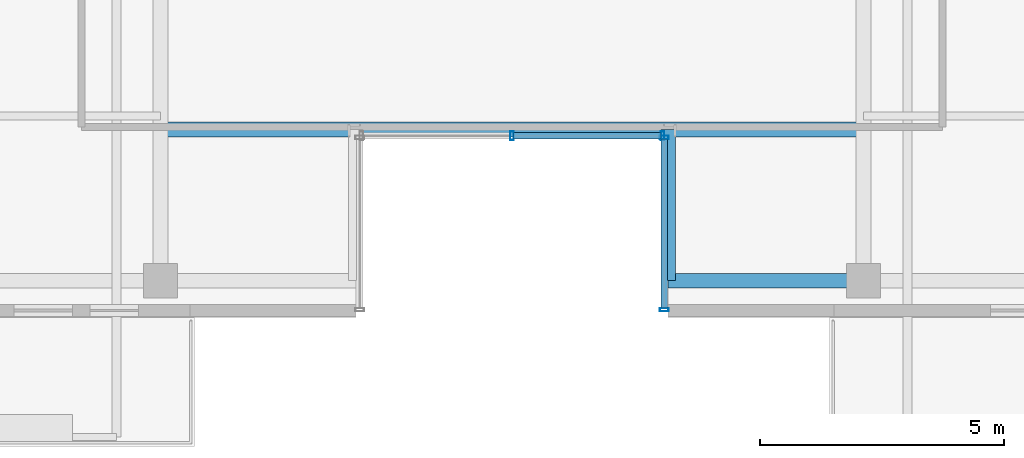
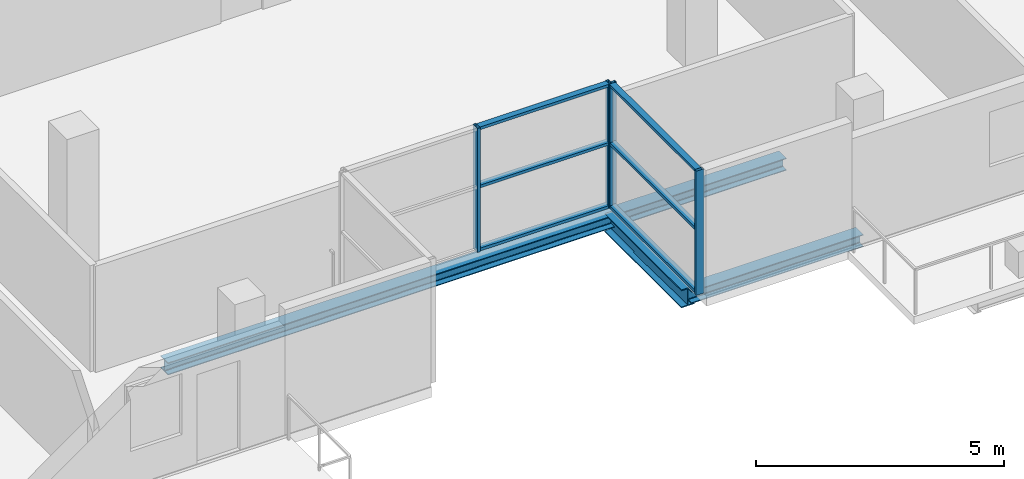
# One storey, part 7 of 24: 10 members, 3 beams, 2 elements without a shape of their own.
"""IFC4 building model written with IfcOpenShell, lengths in metres."""

import ifcopenshell
import ifcopenshell.guid

model = None  # the IFC model being written
_history = None  # IfcOwnerHistory: only IFC2X3 demands one
_inside = {}  # id of a spatial element -> (the spatial element, [elements in it])
_under = {}  # id of a project, library or spatial element -> (it, [spatial elements below it])
_declared = {}  # id of a project -> (the project, [libraries it declares])
_typed = {}  # id of a type object -> (the type object, [elements of that type])
_made_of = {}  # id of a material, layer set ... -> (it, [elements and type objects made of it])


def new_model(schema):
    """Start an empty IFC model of exactly this schema.

    Asked for "IFC4X3", IfcOpenShell would pick the latest addendum, in which some entities
    have other attributes; the version numbers below select the first issue.
    IFC2X3 requires an IfcOwnerHistory on every rooted entity: one is made here for all.
    """
    global model, _history
    if schema == "IFC4X3":
        model = ifcopenshell.file(schema_version=(4, 3, 0, 0))
    else:
        model = ifcopenshell.file(schema=schema)
    _inside.clear()
    _under.clear()
    _declared.clear()
    _typed.clear()
    _made_of.clear()
    _history = None
    if model.schema == "IFC2X3":
        org = make("IfcOrganization", Name="unknown")
        user = make(
            "IfcPersonAndOrganization",
            ThePerson=make("IfcPerson", FamilyName="unknown"),
            TheOrganization=org,
        )
        app = make(
            "IfcApplication",
            ApplicationDeveloper=org,
            Version="unknown",
            ApplicationFullName="unknown",
            ApplicationIdentifier="unknown",
        )
        _history = make(
            "IfcOwnerHistory",
            OwningUser=user,
            OwningApplication=app,
            ChangeAction="ADDED",
            CreationDate=0,
        )
    return model


def make(cls, **values):
    """One entity of the class cls with the attributes given. An attribute that is None is left unset."""
    return model.create_entity(
        cls, **{name: value for name, value in values.items() if value is not None}
    )


def rooted(cls, **values):
    """An entity with a GlobalId (a new one), such as an element, a storey or a relation."""
    return make(cls, GlobalId=ifcopenshell.guid.new(), OwnerHistory=_history, **values)


def si_unit(unit_type, name, prefix=None):
    """IfcSIUnit, for example si_unit("LENGTHUNIT", "METRE", prefix="MILLI")."""
    return make("IfcSIUnit", UnitType=unit_type, Prefix=prefix, Name=name)


def assignment(units):
    """IfcUnitAssignment: the units of a project."""
    return None if units is None else make("IfcUnitAssignment", Units=units)


def point(xyz):
    """IfcCartesianPoint."""
    return None if xyz is None else make("IfcCartesianPoint", Coordinates=xyz)


def direction(xyz):
    """IfcDirection."""
    return None if xyz is None else make("IfcDirection", DirectionRatios=xyz)


def frame(location, z_axis=None, x_axis=None):
    """IfcAxis2Placement3D, a coordinate frame: its origin and axes. An axis left out is left unset."""
    return make(
        "IfcAxis2Placement3D",
        Location=point(location),
        Axis=direction(z_axis),
        RefDirection=direction(x_axis),
    )


def frame_2d(location, x_axis=None):
    """IfcAxis2Placement2D, a coordinate frame in the plane: its origin and x axis."""
    return make(
        "IfcAxis2Placement2D", Location=point(location), RefDirection=direction(x_axis)
    )


def origin():
    """The frame at (0, 0, 0) with its axes left unset."""
    return frame((0.0, 0.0, 0.0))


def origin_2d():
    """The frame at (0, 0) in the plane with its x axis left unset."""
    return frame_2d((0.0, 0.0))


def place(relative_to, where):
    """IfcLocalPlacement: puts the frame where relative to a parent placement (None: the world)."""
    return make(
        "IfcLocalPlacement", PlacementRelTo=relative_to, RelativePlacement=where
    )


def context(
    kind, dimensions, precision=None, world=None, true_north=None, identifier=None
):
    """IfcGeometricRepresentationContext, for example the 3D "Model" context."""
    return make(
        "IfcGeometricRepresentationContext",
        ContextIdentifier=identifier,
        ContextType=kind,
        CoordinateSpaceDimension=dimensions,
        Precision=precision,
        WorldCoordinateSystem=world,
        TrueNorth=true_north,
    )


def subcontext(parent, identifier, kind, view, scale=None):
    """IfcGeometricRepresentationSubContext, for example "Body" below "Model"."""
    return make(
        "IfcGeometricRepresentationSubContext",
        ContextIdentifier=identifier,
        ContextType=kind,
        ParentContext=parent,
        TargetScale=scale,
        TargetView=view,
    )


def project(units=None, contexts=None):
    """IfcProject with its units and contexts."""
    return rooted(
        "IfcProject",
        Name="project",
        RepresentationContexts=contexts,
        UnitsInContext=assignment(units),
    )


def spatial(cls, under=None, at=None, **own):
    """A site, building, storey or space (cls), placed at a placement, below another one or the project."""
    s = rooted(cls, ObjectPlacement=at, **own)
    if under is not None:
        _under.setdefault(under.id(), (under, []))[1].append(s)
    return s


def profile(cls, at=None, kind="AREA", **sizes):
    """A parametric profile (cls). Its sizes go by their IFC names, for example OverallWidth=200.0."""
    return make(cls, ProfileType=kind, Position=at, **sizes)


def hollow_rectangle(**sizes):
    """IfcRectangleHollowProfileDef."""
    return profile("IfcRectangleHollowProfileDef", **sizes)


def i_section(**sizes):
    """IfcIShapeProfileDef."""
    return profile("IfcIShapeProfileDef", **sizes)


def extrude(swept, where, along, depth):
    """IfcExtrudedAreaSolid: the profile swept, set in the frame where, extruded along a direction by depth."""
    return make(
        "IfcExtrudedAreaSolid",
        SweptArea=swept,
        Position=where,
        ExtrudedDirection=direction(along),
        Depth=depth,
    )


def shape(context_of_items, identifier, shape_type, items):
    """IfcShapeRepresentation: the items that make up one representation, for example the "Body"."""
    return make(
        "IfcShapeRepresentation",
        ContextOfItems=context_of_items,
        RepresentationIdentifier=identifier,
        RepresentationType=shape_type,
        Items=items,
    )


def source(mapping_origin, context_of_items, identifier, shape_type, items):
    """IfcRepresentationMap: a shape defined once, which mapped items show again and again."""
    return make(
        "IfcRepresentationMap",
        MappingOrigin=mapping_origin,
        MappedRepresentation=shape(context_of_items, identifier, shape_type, items),
    )


def transform(
    local_origin,
    x_axis=None,
    y_axis=None,
    z_axis=None,
    scale=None,
    scale2=None,
    scale3=None,
    uniform=True,
):
    """IfcCartesianTransformationOperator3D, or its non-uniform kind. x_axis, y_axis, z_axis: its Axis1, 2, 3."""
    if uniform:
        return make(
            "IfcCartesianTransformationOperator3D",
            Axis1=direction(x_axis),
            Axis2=direction(y_axis),
            LocalOrigin=point(local_origin),
            Scale=scale,
            Axis3=direction(z_axis),
        )
    return make(
        "IfcCartesianTransformationOperator3DnonUniform",
        Axis1=direction(x_axis),
        Axis2=direction(y_axis),
        LocalOrigin=point(local_origin),
        Scale=scale,
        Axis3=direction(z_axis),
        Scale2=scale2,
        Scale3=scale3,
    )


def mapped(mapping_source, mapping_target):
    """IfcMappedItem: shows the shape of a source again, moved by a transform."""
    return make(
        "IfcMappedItem", MappingSource=mapping_source, MappingTarget=mapping_target
    )


def material(Name=None, Category=None):
    """IfcMaterial."""
    return make("IfcMaterial", Name=Name, Category=Category)


def layer(
    of_material, thickness, ventilated=None, Name=None, Category=None, Priority=None
):
    """IfcMaterialLayer: one layer of a wall or slab, of a material (None: an air gap)."""
    return make(
        "IfcMaterialLayer",
        Material=of_material,
        LayerThickness=thickness,
        IsVentilated=ventilated,
        Name=Name,
        Category=Category,
        Priority=Priority,
    )


def layer_set(layers, Name=None):
    """IfcMaterialLayerSet."""
    return make("IfcMaterialLayerSet", MaterialLayers=layers, LayerSetName=Name)


def material_profile(
    of_material, cross_section, Name=None, Category=None, Priority=None
):
    """IfcMaterialProfile: a cross section and its material."""
    return make(
        "IfcMaterialProfile",
        Name=Name,
        Material=of_material,
        Profile=cross_section,
        Priority=Priority,
        Category=Category,
    )


def profile_set(profiles, Name=None, composite=None):
    """IfcMaterialProfileSet."""
    return make(
        "IfcMaterialProfileSet",
        Name=Name,
        MaterialProfiles=profiles,
        CompositeProfile=composite,
    )


def made_of(thing, what):
    """Note that an element or type object is made of a material, layer set ...; save() writes the relation."""
    if what is not None:
        _made_of.setdefault(what.id(), (what, []))[1].append(thing)
    return thing


def type_object(cls, material=None, **own):
    """A type object (cls), such as IfcWallType, which elements share."""
    return made_of(rooted(cls, **own), material)


def element(
    cls,
    number,
    at=None,
    inside=None,
    cuts=None,
    type_object=None,
    material=None,
    context=None,
    identifier="Body",
    shape_type=None,
    held_by="IfcProductDefinitionShape",
    body=None,
    shapes=None,
    **own,
):
    """One element of the class cls, such as IfcWall. Its Tag is "e" and its number.

    at: its placement. inside: the storey or other place that contains it. cuts: it is an
    opening in that element (IfcRelVoidsElement). A single representation is given by context,
    identifier, shape_type and body (its items); several are given by shapes. held_by: the class
    of the entity that holds the representations. save() writes the other relations.
    """
    e = rooted(cls, Tag="e%d" % number, ObjectPlacement=at, **own)
    if body is not None:
        shapes = [shape(context, identifier, shape_type, body)]
    if shapes is not None:
        e.Representation = make(held_by, Representations=shapes)
    if inside is not None:
        _inside.setdefault(inside.id(), (inside, []))[1].append(e)
    if cuts is not None:
        rooted(
            "IfcRelVoidsElement", RelatingBuildingElement=cuts, RelatedOpeningElement=e
        )
    if type_object is not None:
        _typed.setdefault(type_object.id(), (type_object, []))[1].append(e)
    return made_of(e, material)


def aggregate(whole, parts):
    """IfcRelAggregates: a whole, such as a stair, and the parts it consists of."""
    return rooted("IfcRelAggregates", RelatingObject=whole, RelatedObjects=parts)


def save(model, path):
    """Write the relations noted so far, then the file.

    IfcRelAggregates (storeys below a building ...), IfcRelContainedInSpatialStructure (elements
    in a storey), IfcRelDefinesByType, IfcRelAssociatesMaterial and IfcRelDeclares: one each for
    every whole, place, type object, material and project.
    """
    for whole, parts in _under.values():
        aggregate(whole, parts)
    for where, things in _inside.values():
        rooted(
            "IfcRelContainedInSpatialStructure",
            RelatedElements=things,
            RelatingStructure=where,
        )
    for kind, things in _typed.values():
        rooted("IfcRelDefinesByType", RelatedObjects=things, RelatingType=kind)
    for what, things in _made_of.values():
        rooted("IfcRelAssociatesMaterial", RelatedObjects=things, RelatingMaterial=what)
    for by, libraries in _declared.values():
        rooted("IfcRelDeclares", RelatingContext=by, RelatedDefinitions=libraries)
    model.write(path)


model = new_model("IFC4")

# Units and contexts
model_context = context("Model", 3, precision=1e-05, world=origin(), true_north=direction((0.0, 1.0)))
body_context = subcontext(model_context, "Body", "Model", "MODEL_VIEW")
ifc_project = project(units=[si_unit("LENGTHUNIT", "METRE"), si_unit("AREAUNIT", "SQUARE_METRE"), si_unit("VOLUMEUNIT", "CUBIC_METRE"), si_unit("PLANEANGLEUNIT", "RADIAN"), si_unit("MASSUNIT", "GRAM", prefix="KILO")], contexts=[model_context])

# Site, building, storey
site_placement = place(None, origin())
site = spatial("IfcSite", under=ifc_project, at=site_placement, CompositionType="ELEMENT")
building_placement = place(site_placement, origin())
building = spatial("IfcBuilding", under=site, at=building_placement, Name="Zarnakvel Exchange Tower", CompositionType="ELEMENT")
storey_placement = place(building_placement, frame((0.0, 0.0, 205.60009765625)))
storey = spatial("IfcBuildingStorey", under=building, at=storey_placement, Name="L57", CompositionType="ELEMENT", Elevation=205.60009765625)

# Beams
ifc_material_1 = material(Name="Steel S355", Category="steel")
ifc_material_profile_1 = material_profile(ifc_material_1, i_section(OverallWidth=0.300048828125, OverallDepth=0.449951171875, WebThickness=0.013916015625, FlangeThickness=0.02587890625, FilletRadius=0.027099609375, at=origin_2d()))
ifc_profile_set_1 = profile_set([ifc_material_profile_1], Name="Steel S355")
beam_type_1 = type_object("IfcBeamType", Name="G-07", PredefinedType="BEAM", material=ifc_profile_set_1)
beam_1_placement = place(storey_placement, frame((3.199951171875, -16.35009765625, -0.47509765625), z_axis=(0.0, 1.0, 0.0), x_axis=(-1.0, 0.0, 0.0)))
element("IfcBeam", 1, at=beam_1_placement, inside=storey, type_object=beam_type_1, Name="L57 South Slot East Cheek Beam", PredefinedType="BEAM", context=body_context, shape_type="SweptSolid", body=[
    extrude(i_section(OverallWidth=0.300048828125, OverallDepth=0.449951171875, WebThickness=0.013916015625, FlangeThickness=0.02587890625, FilletRadius=0.027099609375, at=origin_2d()), origin(), (0.0, 0.0, 1.0), 3.10009765625),
])
ifc_material_profile_2 = material_profile(ifc_material_1, i_section(OverallWidth=0.300048828125, OverallDepth=0.300048828125, WebThickness=0.010986328125, FlangeThickness=0.01904296875, FilletRadius=0.027099609375, at=origin_2d()))
ifc_profile_set_2 = profile_set([ifc_material_profile_2], Name="Steel S355")
beam_type_2 = type_object("IfcBeamType", Name="SP-03", PredefinedType="SPANDREL", material=ifc_profile_set_2)
beam_2_placement = place(storey_placement, frame((3.199951171875, -16.35009765625, -0.400146484375), z_axis=(1.0, 0.0, 0.0), x_axis=(0.0, 1.0, 0.0)))
element("IfcBeam", 2, at=beam_2_placement, inside=storey, type_object=beam_type_2, Name="L57 South Slot East Jamb Spandrel", PredefinedType="SPANDREL", context=body_context, shape_type="SweptSolid", body=[
    extrude(i_section(OverallWidth=0.300048828125, OverallDepth=0.300048828125, WebThickness=0.010986328125, FlangeThickness=0.01904296875, FilletRadius=0.027099609375, at=origin_2d()), origin(), (0.0, 0.0, 1.0), 4.0),
])
beam_3_placement = place(storey_placement, frame((-7.199951171875, -13.25, -0.400146484375), z_axis=(1.0, 0.0, 0.0), x_axis=(0.0, 1.0, 0.0)))
element("IfcBeam", 3, at=beam_3_placement, inside=storey, type_object=beam_type_2, Name="L57 South Slot Head Trimmer Girder", PredefinedType="SPANDREL", context=body_context, shape_type="SweptSolid", body=[
    extrude(i_section(OverallWidth=0.300048828125, OverallDepth=0.300048828125, WebThickness=0.010986328125, FlangeThickness=0.01904296875, FilletRadius=0.027099609375, at=origin_2d()), origin(), (0.0, 0.0, 1.0), 14.39990234375),
])

# Curtain wall, members
ifc_material_2 = material(Name="Architectural Bronze Anodised Aluminium", Category="aluminium")
ifc_layer = layer(ifc_material_2, 0.179931640625)
ifc_layer_set = layer_set([ifc_layer], Name="Architectural Bronze Anodised Aluminium")
curtain_wall_type = type_object("IfcCurtainWallType", Name="CW-05", PredefinedType="NOTDEFINED", material=ifc_layer_set)
curtain_wall_1_placement = place(storey_placement, origin())
curtain_wall_1 = element("IfcCurtainWall", 4, at=curtain_wall_1_placement, inside=storey, type_object=curtain_wall_type, Name="L57 Curtain Wall CW-L57-SLE (CW-05)", PredefinedType="NOTDEFINED")
ifc_material_profile_3 = material_profile(ifc_material_2, hollow_rectangle(XDim=0.139892578125, YDim=0.070068359375, WallThickness=0.00390625, at=origin_2d()))
ifc_profile_set_3 = profile_set([ifc_material_profile_3], Name="Architectural Bronze Anodised Aluminium")
member_type_1 = type_object("IfcMemberType", Name="CWT-05", PredefinedType="USERDEFINED", material=ifc_profile_set_3)
shared_shape_1 = source(origin(), body_context, "Body", "SweptSolid", [
    extrude(hollow_rectangle(XDim=0.139892578125, YDim=0.070068359375, WallThickness=0.00390625, at=origin_2d()), origin(), (0.0, 0.0, 1.0), 3.4599609375),
])
member_1_placement = place(storey_placement, frame((3.1201171875, -13.449951171875, 0.034912109375), z_axis=(0.0, -1.0, 0.0), x_axis=(1.0, 0.0, 0.0)))
member_1 = element("IfcMember", 5, at=member_1_placement, type_object=member_type_1, Name="CW-05 transom 1.1", ObjectType="TRANSOM", PredefinedType="USERDEFINED", context=body_context, shape_type="MappedRepresentation", body=[
    mapped(shared_shape_1, transform((0.0, 0.0, 0.0), x_axis=(1.0, 0.0, 0.0), y_axis=(0.0, 1.0, 0.0), z_axis=(0.0, 0.0, 1.0), scale=1.0)),
])
member_2_placement = place(storey_placement, frame((3.1201171875, -13.449951171875, 1.588623046875), z_axis=(0.0, -1.0, 0.0), x_axis=(1.0, 0.0, 0.0)))
member_2 = element("IfcMember", 6, at=member_2_placement, type_object=member_type_1, Name="CW-05 transom 1.2", ObjectType="TRANSOM", PredefinedType="USERDEFINED", context=body_context, shape_type="MappedRepresentation", body=[
    mapped(shared_shape_1, transform((0.0, 0.0, 0.0), x_axis=(1.0, 0.0, 0.0), y_axis=(0.0, 1.0, 0.0), z_axis=(0.0, 0.0, 1.0), scale=1.0)),
])
member_3_placement = place(storey_placement, frame((3.1201171875, -13.449951171875, 3.02001953125), z_axis=(0.0, -1.0, 0.0), x_axis=(1.0, 0.0, 0.0)))
member_3 = element("IfcMember", 7, at=member_3_placement, type_object=member_type_1, Name="CW-05 transom 1.3", ObjectType="TRANSOM", PredefinedType="USERDEFINED", context=body_context, shape_type="MappedRepresentation", body=[
    mapped(shared_shape_1, transform((0.0, 0.0, 0.0), x_axis=(1.0, 0.0, 0.0), y_axis=(0.0, 1.0, 0.0), z_axis=(0.0, 0.0, 1.0), scale=1.0)),
])

curtain_wall_2_placement = place(storey_placement, origin())
curtain_wall_2 = element("IfcCurtainWall", 8, at=curtain_wall_2_placement, inside=storey, type_object=curtain_wall_type, Name="L57 Curtain Wall CW-L57-SLB (CW-05)", PredefinedType="NOTDEFINED")
shared_shape_2 = source(origin(), body_context, "Body", "SweptSolid", [
    extrude(hollow_rectangle(XDim=0.139892578125, YDim=0.070068359375, WallThickness=0.00390625, at=origin_2d()), origin(), (0.0, 0.0, 1.0), 3.01513671875),
])
member_4_placement = place(storey_placement, frame((0.034912109375, -13.3798828125, 0.034912109375), z_axis=(1.0, 0.0, 0.0), x_axis=(0.0, 1.0, 0.0)))
member_4 = element("IfcMember", 9, at=member_4_placement, type_object=member_type_1, Name="CW-05 transom 2.1", ObjectType="TRANSOM", PredefinedType="USERDEFINED", context=body_context, shape_type="MappedRepresentation", body=[
    mapped(shared_shape_2, transform((0.0, 0.0, 0.0), x_axis=(1.0, 0.0, 0.0), y_axis=(0.0, 1.0, 0.0), z_axis=(0.0, 0.0, 1.0), scale=1.0)),
])
member_5_placement = place(storey_placement, frame((0.034912109375, -13.3798828125, 1.588623046875), z_axis=(1.0, 0.0, 0.0), x_axis=(0.0, 1.0, 0.0)))
member_5 = element("IfcMember", 10, at=member_5_placement, type_object=member_type_1, Name="CW-05 transom 2.2", ObjectType="TRANSOM", PredefinedType="USERDEFINED", context=body_context, shape_type="MappedRepresentation", body=[
    mapped(shared_shape_2, transform((0.0, 0.0, 0.0), x_axis=(1.0, 0.0, 0.0), y_axis=(0.0, 1.0, 0.0), z_axis=(0.0, 0.0, 1.0), scale=1.0)),
])
member_6_placement = place(storey_placement, frame((0.034912109375, -13.3798828125, 3.02001953125), z_axis=(1.0, 0.0, 0.0), x_axis=(0.0, 1.0, 0.0)))
member_6 = element("IfcMember", 11, at=member_6_placement, type_object=member_type_1, Name="CW-05 transom 2.3", ObjectType="TRANSOM", PredefinedType="USERDEFINED", context=body_context, shape_type="MappedRepresentation", body=[
    mapped(shared_shape_2, transform((0.0, 0.0, 0.0), x_axis=(1.0, 0.0, 0.0), y_axis=(0.0, 1.0, 0.0), z_axis=(0.0, 0.0, 1.0), scale=1.0)),
])
ifc_material_profile_4 = material_profile(ifc_material_2, hollow_rectangle(XDim=0.179931640625, YDim=0.070068359375, WallThickness=0.00390625, at=origin_2d()))
ifc_profile_set_4 = profile_set([ifc_material_profile_4], Name="Architectural Bronze Anodised Aluminium")
member_type_2 = type_object("IfcMemberType", Name="CWM-05", PredefinedType="MULLION", material=ifc_profile_set_4)
shared_shape_3 = source(origin(), body_context, "Body", "SweptSolid", [
    extrude(hollow_rectangle(XDim=0.179931640625, YDim=0.070068359375, WallThickness=0.00390625, at=origin_2d()), origin(), (0.0, 0.0, 1.0), 3.054931640625),
])
member_7_placement = place(storey_placement, frame((0.0, -13.3798828125, 0.0), z_axis=(0.0, 0.0, 1.0), x_axis=(0.0, 1.0, 0.0)))
member_7 = element("IfcMember", 12, at=member_7_placement, type_object=member_type_2, Name="CW-05 mullion 2", PredefinedType="MULLION", context=body_context, shape_type="MappedRepresentation", body=[
    mapped(shared_shape_3, transform((0.0, 0.0, 0.0), x_axis=(1.0, 0.0, 0.0), y_axis=(0.0, 1.0, 0.0), z_axis=(0.0, 0.0, 1.0), scale=1.0)),
])
member_8_placement = place(storey_placement, frame((3.0849609375, -13.3798828125, 0.0), z_axis=(0.0, 0.0, 1.0), x_axis=(0.0, 1.0, 0.0)))
member_8 = element("IfcMember", 13, at=member_8_placement, type_object=member_type_2, Name="CW-05 mullion 3", PredefinedType="MULLION", context=body_context, shape_type="MappedRepresentation", body=[
    mapped(shared_shape_3, transform((0.0, 0.0, 0.0), x_axis=(1.0, 0.0, 0.0), y_axis=(0.0, 1.0, 0.0), z_axis=(0.0, 0.0, 1.0), scale=1.0)),
])
aggregate(curtain_wall_2, [member_7, member_8, member_4, member_5, member_6])

# Member
member_9_placement = place(storey_placement, frame((3.1201171875, -13.4150390625, 0.0), z_axis=(0.0, 0.0, 1.0), x_axis=(1.0, 0.0, 0.0)))
member_9 = element("IfcMember", 14, at=member_9_placement, type_object=member_type_2, Name="CW-05 mullion 1", PredefinedType="MULLION", context=body_context, shape_type="MappedRepresentation", body=[
    mapped(shared_shape_3, transform((0.0, 0.0, 0.0), x_axis=(1.0, 0.0, 0.0), y_axis=(0.0, 1.0, 0.0), z_axis=(0.0, 0.0, 1.0), scale=1.0)),
])

member_10_placement = place(storey_placement, frame((3.1201171875, -16.945068359375, 0.0), z_axis=(0.0, 0.0, 1.0), x_axis=(1.0, 0.0, 0.0)))
member_10 = element("IfcMember", 15, at=member_10_placement, type_object=member_type_2, Name="CW-05 mullion 2", PredefinedType="MULLION", context=body_context, shape_type="MappedRepresentation", body=[
    mapped(shared_shape_3, transform((0.0, 0.0, 0.0), x_axis=(1.0, 0.0, 0.0), y_axis=(0.0, 1.0, 0.0), z_axis=(0.0, 0.0, 1.0), scale=1.0)),
])

aggregate(curtain_wall_1, [member_9, member_10, member_1, member_2, member_3])

save(model, "model.ifc")
